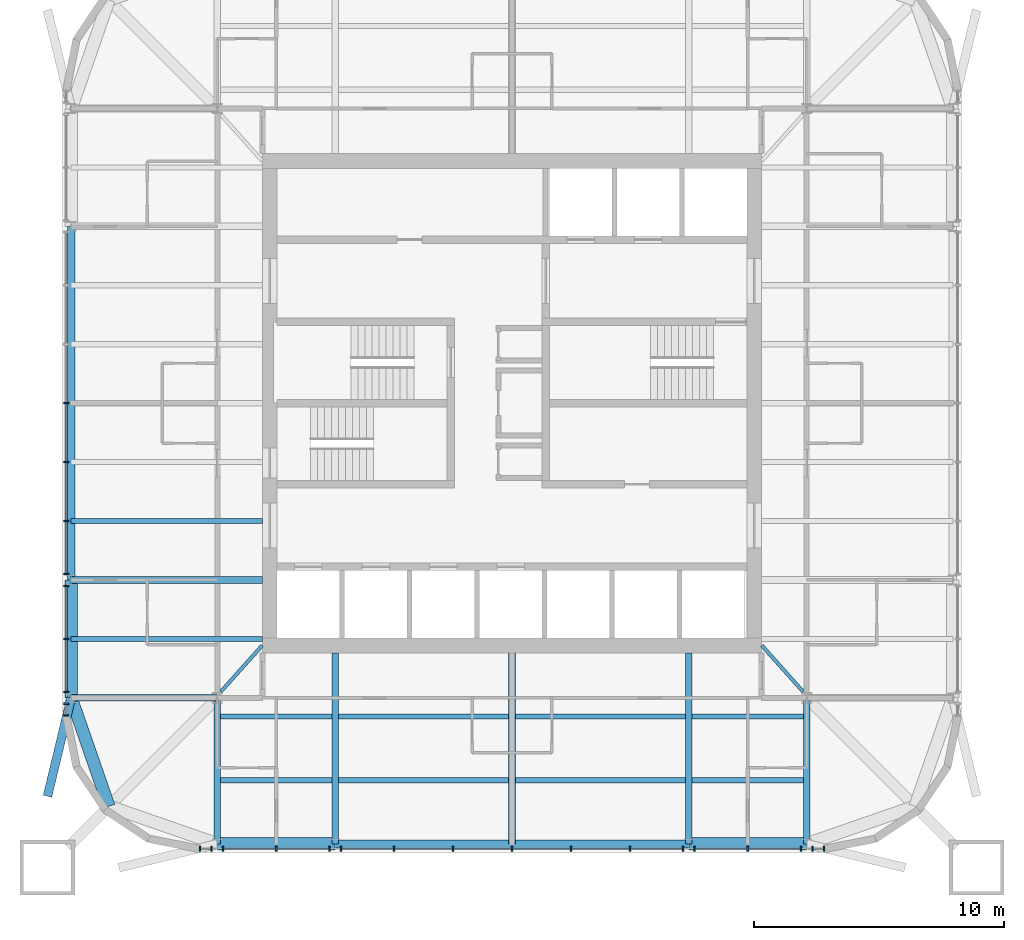
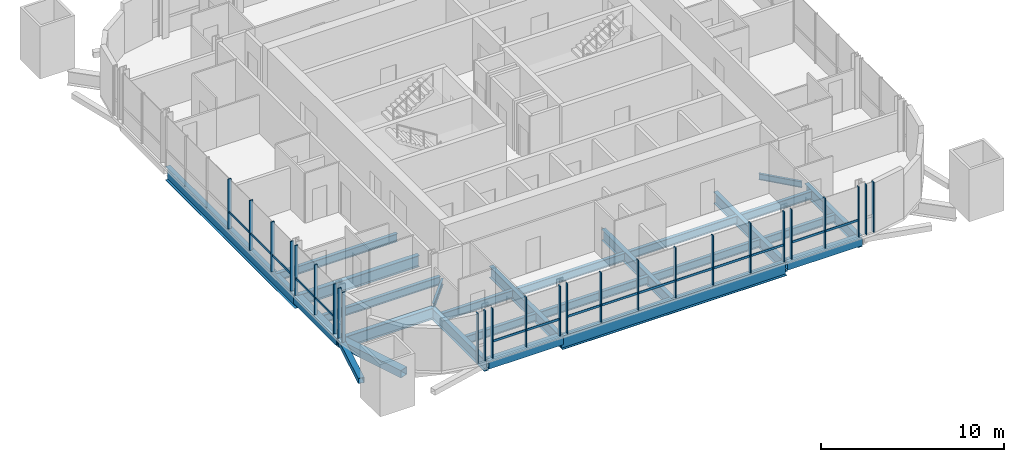
# One storey, part 2 of 16: 41 members, 26 beams, 8 elements without a shape of their own.
"""IFC4 building model written with IfcOpenShell, lengths in metres."""

import ifcopenshell
import ifcopenshell.guid

model = None  # the IFC model being written
_history = None  # IfcOwnerHistory: only IFC2X3 demands one
_inside = {}  # id of a spatial element -> (the spatial element, [elements in it])
_under = {}  # id of a project, library or spatial element -> (it, [spatial elements below it])
_declared = {}  # id of a project -> (the project, [libraries it declares])
_typed = {}  # id of a type object -> (the type object, [elements of that type])
_made_of = {}  # id of a material, layer set ... -> (it, [elements and type objects made of it])


def new_model(schema):
    """Start an empty IFC model of exactly this schema.

    Asked for "IFC4X3", IfcOpenShell would pick the latest addendum, in which some entities
    have other attributes; the version numbers below select the first issue.
    IFC2X3 requires an IfcOwnerHistory on every rooted entity: one is made here for all.
    """
    global model, _history
    if schema == "IFC4X3":
        model = ifcopenshell.file(schema_version=(4, 3, 0, 0))
    else:
        model = ifcopenshell.file(schema=schema)
    _inside.clear()
    _under.clear()
    _declared.clear()
    _typed.clear()
    _made_of.clear()
    _history = None
    if model.schema == "IFC2X3":
        org = make("IfcOrganization", Name="unknown")
        user = make(
            "IfcPersonAndOrganization",
            ThePerson=make("IfcPerson", FamilyName="unknown"),
            TheOrganization=org,
        )
        app = make(
            "IfcApplication",
            ApplicationDeveloper=org,
            Version="unknown",
            ApplicationFullName="unknown",
            ApplicationIdentifier="unknown",
        )
        _history = make(
            "IfcOwnerHistory",
            OwningUser=user,
            OwningApplication=app,
            ChangeAction="ADDED",
            CreationDate=0,
        )
    return model


def make(cls, **values):
    """One entity of the class cls with the attributes given. An attribute that is None is left unset."""
    return model.create_entity(
        cls, **{name: value for name, value in values.items() if value is not None}
    )


def rooted(cls, **values):
    """An entity with a GlobalId (a new one), such as an element, a storey or a relation."""
    return make(cls, GlobalId=ifcopenshell.guid.new(), OwnerHistory=_history, **values)


def si_unit(unit_type, name, prefix=None):
    """IfcSIUnit, for example si_unit("LENGTHUNIT", "METRE", prefix="MILLI")."""
    return make("IfcSIUnit", UnitType=unit_type, Prefix=prefix, Name=name)


def assignment(units):
    """IfcUnitAssignment: the units of a project."""
    return None if units is None else make("IfcUnitAssignment", Units=units)


def point(xyz):
    """IfcCartesianPoint."""
    return None if xyz is None else make("IfcCartesianPoint", Coordinates=xyz)


def direction(xyz):
    """IfcDirection."""
    return None if xyz is None else make("IfcDirection", DirectionRatios=xyz)


def frame(location, z_axis=None, x_axis=None):
    """IfcAxis2Placement3D, a coordinate frame: its origin and axes. An axis left out is left unset."""
    return make(
        "IfcAxis2Placement3D",
        Location=point(location),
        Axis=direction(z_axis),
        RefDirection=direction(x_axis),
    )


def frame_2d(location, x_axis=None):
    """IfcAxis2Placement2D, a coordinate frame in the plane: its origin and x axis."""
    return make(
        "IfcAxis2Placement2D", Location=point(location), RefDirection=direction(x_axis)
    )


def origin():
    """The frame at (0, 0, 0) with its axes left unset."""
    return frame((0.0, 0.0, 0.0))


def origin_2d():
    """The frame at (0, 0) in the plane with its x axis left unset."""
    return frame_2d((0.0, 0.0))


def place(relative_to, where):
    """IfcLocalPlacement: puts the frame where relative to a parent placement (None: the world)."""
    return make(
        "IfcLocalPlacement", PlacementRelTo=relative_to, RelativePlacement=where
    )


def context(
    kind, dimensions, precision=None, world=None, true_north=None, identifier=None
):
    """IfcGeometricRepresentationContext, for example the 3D "Model" context."""
    return make(
        "IfcGeometricRepresentationContext",
        ContextIdentifier=identifier,
        ContextType=kind,
        CoordinateSpaceDimension=dimensions,
        Precision=precision,
        WorldCoordinateSystem=world,
        TrueNorth=true_north,
    )


def subcontext(parent, identifier, kind, view, scale=None):
    """IfcGeometricRepresentationSubContext, for example "Body" below "Model"."""
    return make(
        "IfcGeometricRepresentationSubContext",
        ContextIdentifier=identifier,
        ContextType=kind,
        ParentContext=parent,
        TargetScale=scale,
        TargetView=view,
    )


def project(units=None, contexts=None):
    """IfcProject with its units and contexts."""
    return rooted(
        "IfcProject",
        Name="project",
        RepresentationContexts=contexts,
        UnitsInContext=assignment(units),
    )


def spatial(cls, under=None, at=None, **own):
    """A site, building, storey or space (cls), placed at a placement, below another one or the project."""
    s = rooted(cls, ObjectPlacement=at, **own)
    if under is not None:
        _under.setdefault(under.id(), (under, []))[1].append(s)
    return s


def profile(cls, at=None, kind="AREA", **sizes):
    """A parametric profile (cls). Its sizes go by their IFC names, for example OverallWidth=200.0."""
    return make(cls, ProfileType=kind, Position=at, **sizes)


def rectangle(**sizes):
    """IfcRectangleProfileDef."""
    return profile("IfcRectangleProfileDef", **sizes)


def hollow_rectangle(**sizes):
    """IfcRectangleHollowProfileDef."""
    return profile("IfcRectangleHollowProfileDef", **sizes)


def i_section(**sizes):
    """IfcIShapeProfileDef."""
    return profile("IfcIShapeProfileDef", **sizes)


def extrude(swept, where, along, depth):
    """IfcExtrudedAreaSolid: the profile swept, set in the frame where, extruded along a direction by depth."""
    return make(
        "IfcExtrudedAreaSolid",
        SweptArea=swept,
        Position=where,
        ExtrudedDirection=direction(along),
        Depth=depth,
    )


def shape(context_of_items, identifier, shape_type, items):
    """IfcShapeRepresentation: the items that make up one representation, for example the "Body"."""
    return make(
        "IfcShapeRepresentation",
        ContextOfItems=context_of_items,
        RepresentationIdentifier=identifier,
        RepresentationType=shape_type,
        Items=items,
    )


def material(Name=None, Category=None):
    """IfcMaterial."""
    return make("IfcMaterial", Name=Name, Category=Category)


def material_profile(
    of_material, cross_section, Name=None, Category=None, Priority=None
):
    """IfcMaterialProfile: a cross section and its material."""
    return make(
        "IfcMaterialProfile",
        Name=Name,
        Material=of_material,
        Profile=cross_section,
        Priority=Priority,
        Category=Category,
    )


def profile_set(profiles, Name=None, composite=None):
    """IfcMaterialProfileSet."""
    return make(
        "IfcMaterialProfileSet",
        Name=Name,
        MaterialProfiles=profiles,
        CompositeProfile=composite,
    )


def made_of(thing, what):
    """Note that an element or type object is made of a material, layer set ...; save() writes the relation."""
    if what is not None:
        _made_of.setdefault(what.id(), (what, []))[1].append(thing)
    return thing


def type_object(cls, material=None, **own):
    """A type object (cls), such as IfcWallType, which elements share."""
    return made_of(rooted(cls, **own), material)


def element(
    cls,
    number,
    at=None,
    inside=None,
    cuts=None,
    type_object=None,
    material=None,
    context=None,
    identifier="Body",
    shape_type=None,
    held_by="IfcProductDefinitionShape",
    body=None,
    shapes=None,
    **own,
):
    """One element of the class cls, such as IfcWall. Its Tag is "e" and its number.

    at: its placement. inside: the storey or other place that contains it. cuts: it is an
    opening in that element (IfcRelVoidsElement). A single representation is given by context,
    identifier, shape_type and body (its items); several are given by shapes. held_by: the class
    of the entity that holds the representations. save() writes the other relations.
    """
    e = rooted(cls, Tag="e%d" % number, ObjectPlacement=at, **own)
    if body is not None:
        shapes = [shape(context, identifier, shape_type, body)]
    if shapes is not None:
        e.Representation = make(held_by, Representations=shapes)
    if inside is not None:
        _inside.setdefault(inside.id(), (inside, []))[1].append(e)
    if cuts is not None:
        rooted(
            "IfcRelVoidsElement", RelatingBuildingElement=cuts, RelatedOpeningElement=e
        )
    if type_object is not None:
        _typed.setdefault(type_object.id(), (type_object, []))[1].append(e)
    return made_of(e, material)


def aggregate(whole, parts):
    """IfcRelAggregates: a whole, such as a stair, and the parts it consists of."""
    return rooted("IfcRelAggregates", RelatingObject=whole, RelatedObjects=parts)


def save(model, path):
    """Write the relations noted so far, then the file.

    IfcRelAggregates (storeys below a building ...), IfcRelContainedInSpatialStructure (elements
    in a storey), IfcRelDefinesByType, IfcRelAssociatesMaterial and IfcRelDeclares: one each for
    every whole, place, type object, material and project.
    """
    for whole, parts in _under.values():
        aggregate(whole, parts)
    for where, things in _inside.values():
        rooted(
            "IfcRelContainedInSpatialStructure",
            RelatedElements=things,
            RelatingStructure=where,
        )
    for kind, things in _typed.values():
        rooted("IfcRelDefinesByType", RelatedObjects=things, RelatingType=kind)
    for what, things in _made_of.values():
        rooted("IfcRelAssociatesMaterial", RelatedObjects=things, RelatingMaterial=what)
    for by, libraries in _declared.values():
        rooted("IfcRelDeclares", RelatingContext=by, RelatedDefinitions=libraries)
    model.write(path)


model = new_model("IFC4")

# Units and contexts
model_context = context("Model", 3, precision=1e-05, world=origin(), true_north=direction((0.0, 1.0)))
body_context = subcontext(model_context, "Body", "Model", "MODEL_VIEW")
ifc_project = project(units=[si_unit("LENGTHUNIT", "METRE"), si_unit("AREAUNIT", "SQUARE_METRE"), si_unit("VOLUMEUNIT", "CUBIC_METRE"), si_unit("PLANEANGLEUNIT", "RADIAN"), si_unit("MASSUNIT", "GRAM", prefix="KILO")], contexts=[model_context])

# Site, building, storey
site_placement = place(None, origin())
site = spatial("IfcSite", under=ifc_project, at=site_placement, CompositionType="ELEMENT")
building_placement = place(site_placement, origin())
building = spatial("IfcBuilding", under=site, at=building_placement, Name="Turquesa Mirador Hotel Tower", CompositionType="ELEMENT")
storey_placement = place(building_placement, frame((0.0, 0.0, 230.199951171875)))
storey = spatial("IfcBuildingStorey", under=building, at=storey_placement, Name="L62", CompositionType="ELEMENT", Elevation=230.199951171875)

# Beams
ifc_material_1 = material(Name="Steel ASTM A572 Grade 50", Category="steel")
ifc_material_profile_1 = material_profile(ifc_material_1, hollow_rectangle(XDim=0.5, YDim=0.5, WallThickness=0.01611328125, at=origin_2d()), Name="BOX500X500X16")
ifc_profile_set_1 = profile_set([ifc_material_profile_1], Name="Steel ASTM A572 Grade 50")
beam_type_1 = type_object("IfcBeamType", Name="BEAM BOX500X500X16", PredefinedType="BEAM", material=ifc_profile_set_1)
for number, where, z_axis, x_axis, name in (
    (1, (43.199951171875, 27.35009765625, -0.419921875), (1.0, 0.0, 0.0), (0.0, 1.0, 0.0), "EB-L62-S-L"),
    (2, (62.080078125, 27.35009765625, -0.419921875), (1.0, 0.0, 0.0), (0.0, 1.0, 0.0), "EB-L62-S-R"),
    (3, (37.35009765625, 33.199951171875, -0.419921875), (0.0, 1.0, 0.0), (-1.0, 0.0, 0.0), "EB-L62-W-L"),
):
    element("IfcBeam", number, at=place(storey_placement, frame(where, z_axis=z_axis, x_axis=x_axis)), inside=storey, type_object=beam_type_1, Name=name, PredefinedType="BEAM", context=body_context, shape_type="SweptSolid", body=[
        extrude(hollow_rectangle(XDim=0.5, YDim=0.5, WallThickness=0.01611328125, at=origin_2d()), origin(), (0.0, 0.0, 1.0), 4.719970703125),
    ])
beam_1_placement = place(storey_placement, frame((37.35009765625, 33.199951171875, -0.419921875), z_axis=(0.328170356092, -0.944618556552, 0.0), x_axis=(0.944618556552, 0.328170356092, 0.0)))
element("IfcBeam", 4, at=beam_1_placement, inside=storey, type_object=beam_type_1, Name="KE-L62-3-0", PredefinedType="BEAM", context=body_context, shape_type="SweptSolid", body=[
    extrude(hollow_rectangle(XDim=0.5, YDim=0.5, WallThickness=0.01611328125, at=origin_2d()), origin(), (0.0, 0.0, 1.0), 4.59619140625),
])
ifc_material_2 = material(Name="Steel ASTM A992 Grade 50", Category="steel")
ifc_material_profile_2 = material_profile(ifc_material_2, i_section(OverallWidth=0.140380859375, OverallDepth=0.40380859375, WebThickness=0.007080078125, FlangeThickness=0.01123046875, at=origin_2d()), Name="W16X31")
ifc_profile_set_2 = profile_set([ifc_material_profile_2], Name="Steel ASTM A992 Grade 50")
beam_type_2 = type_object("IfcBeamType", Name="BEAM W16X31", PredefinedType="BEAM", material=ifc_profile_set_2)
for number, where, z_axis, x_axis, name in (
    (5, (43.343505859375, 33.44873046875, -0.371826171875), (0.666806350186, 0.745231032198, 0.0), (-0.745231032198, 0.666806350186, 0.0), "KT-L62-3"),
    (6, (66.656494140625, 33.44873046875, -0.371826171875), (-0.666806350186, 0.745231032198, 0.0), (-0.745231032198, -0.666806350186, 0.0), "KT-L62-4"),
):
    element("IfcBeam", number, at=place(storey_placement, frame(where, z_axis=z_axis, x_axis=x_axis)), inside=storey, type_object=beam_type_2, Name=name, PredefinedType="BEAM", context=body_context, shape_type="SweptSolid", body=[
        extrude(i_section(OverallWidth=0.140380859375, OverallDepth=0.40380859375, WebThickness=0.007080078125, FlangeThickness=0.01123046875, at=origin_2d()), origin(), (0.0, 0.0, 1.0), 2.484130859375),
    ])
ifc_material_3 = material(Name="Steel ASTM A992 Grade 50", Category="steel")
ifc_material_profile_3 = material_profile(ifc_material_3, i_section(OverallWidth=0.209228515625, OverallDepth=0.533447265625, WebThickness=0.01025390625, FlangeThickness=0.015625, at=origin_2d()), Name="W21X62")
ifc_profile_set_3 = profile_set([ifc_material_profile_3], Name="Steel ASTM A992 Grade 50")
beam_type_3 = type_object("IfcBeamType", Name="BEAM W21X62", PredefinedType="BEAM", material=ifc_profile_set_3)
beam_2_placement = place(storey_placement, frame((43.333251953125, 32.449951171875, -0.436767578125), z_axis=(1.0, 0.0, 0.0), x_axis=(0.0, 1.0, 0.0)))
element("IfcBeam", 7, at=beam_2_placement, inside=storey, type_object=beam_type_3, Name="IB-L62-S-1-0", PredefinedType="BEAM", context=body_context, shape_type="SweptSolid", body=[
    extrude(i_section(OverallWidth=0.209228515625, OverallDepth=0.533447265625, WebThickness=0.01025390625, FlangeThickness=0.015625, at=origin_2d()), origin(), (0.0, 0.0, 1.0), 4.453369140625),
])
for number, where, z_axis, x_axis, name in (
    (8, (48.053466796875, 32.449951171875, -0.436767578125), (1.0, 0.0, 0.0), (0.0, 1.0, 0.0), "IB-L62-S-1-1"),
    (9, (55.13330078125, 32.449951171875, -0.436767578125), (1.0, 0.0, 0.0), (0.0, 1.0, 0.0), "IB-L62-S-1-2"),
):
    element("IfcBeam", number, at=place(storey_placement, frame(where, z_axis=z_axis, x_axis=x_axis)), inside=storey, type_object=beam_type_3, Name=name, PredefinedType="BEAM", context=body_context, shape_type="SweptSolid", body=[
        extrude(i_section(OverallWidth=0.209228515625, OverallDepth=0.533447265625, WebThickness=0.01025390625, FlangeThickness=0.015625, at=origin_2d()), origin(), (0.0, 0.0, 1.0), 6.813232421875),
    ])
for number, where, z_axis, x_axis, name in (
    (10, (62.21337890625, 32.449951171875, -0.436767578125), (1.0, 0.0, 0.0), (0.0, 1.0, 0.0), "IB-L62-S-1-3"),
    (11, (43.333251953125, 29.89990234375, -0.436767578125), (1.0, 0.0, 0.0), (0.0, 1.0, 0.0), "IB-L62-S-2-0"),
):
    element("IfcBeam", number, at=place(storey_placement, frame(where, z_axis=z_axis, x_axis=x_axis)), inside=storey, type_object=beam_type_3, Name=name, PredefinedType="BEAM", context=body_context, shape_type="SweptSolid", body=[
        extrude(i_section(OverallWidth=0.209228515625, OverallDepth=0.533447265625, WebThickness=0.01025390625, FlangeThickness=0.015625, at=origin_2d()), origin(), (0.0, 0.0, 1.0), 4.453369140625),
    ])
for number, where, z_axis, x_axis, name in (
    (12, (48.053466796875, 29.89990234375, -0.436767578125), (1.0, 0.0, 0.0), (0.0, 1.0, 0.0), "IB-L62-S-2-1"),
    (13, (55.13330078125, 29.89990234375, -0.436767578125), (1.0, 0.0, 0.0), (0.0, 1.0, 0.0), "IB-L62-S-2-2"),
):
    element("IfcBeam", number, at=place(storey_placement, frame(where, z_axis=z_axis, x_axis=x_axis)), inside=storey, type_object=beam_type_3, Name=name, PredefinedType="BEAM", context=body_context, shape_type="SweptSolid", body=[
        extrude(i_section(OverallWidth=0.209228515625, OverallDepth=0.533447265625, WebThickness=0.01025390625, FlangeThickness=0.015625, at=origin_2d()), origin(), (0.0, 0.0, 1.0), 6.813232421875),
    ])
beam_3_placement = place(storey_placement, frame((62.21337890625, 29.89990234375, -0.436767578125), z_axis=(1.0, 0.0, 0.0), x_axis=(0.0, 1.0, 0.0)))
element("IfcBeam", 14, at=beam_3_placement, inside=storey, type_object=beam_type_3, Name="IB-L62-S-2-3", PredefinedType="BEAM", context=body_context, shape_type="SweptSolid", body=[
    extrude(i_section(OverallWidth=0.209228515625, OverallDepth=0.533447265625, WebThickness=0.01025390625, FlangeThickness=0.015625, at=origin_2d()), origin(), (0.0, 0.0, 1.0), 4.453369140625),
])
for number, where, z_axis, x_axis, name in (
    (15, (37.35009765625, 35.56005859375, -0.436767578125), (1.0, 0.0, 0.0), (0.0, 1.0, 0.0), "BM-L62-W--9.44"),
    (16, (37.35009765625, 40.280029296875, -0.436767578125), (1.0, 0.0, 0.0), (0.0, 1.0, 0.0), "BM-L62-W--4.72"),
):
    element("IfcBeam", number, at=place(storey_placement, frame(where, z_axis=z_axis, x_axis=x_axis)), inside=storey, type_object=beam_type_3, Name=name, PredefinedType="BEAM", context=body_context, shape_type="SweptSolid", body=[
        extrude(i_section(OverallWidth=0.209228515625, OverallDepth=0.533447265625, WebThickness=0.01025390625, FlangeThickness=0.015625, at=origin_2d()), origin(), (0.0, 0.0, 1.0), 7.64990234375),
    ])
ifc_material_4 = material(Name="Steel ASTM A992 Grade 50", Category="steel")
ifc_material_profile_4 = material_profile(ifc_material_4, i_section(OverallWidth=0.2666015625, OverallDepth=0.7568359375, WebThickness=0.013916015625, FlangeThickness=0.019287109375, at=origin_2d()), Name="W30X108")
ifc_profile_set_4 = profile_set([ifc_material_profile_4], Name="Steel ASTM A992 Grade 50")
beam_type_4 = type_object("IfcBeamType", Name="BEAM W30X108", PredefinedType="BEAM", material=ifc_profile_set_4)
for number, where, z_axis, x_axis, name in (
    (17, (47.919921875, 27.35009765625, -0.54833984375), (0.0, 1.0, 0.0), (-1.0, 0.0, 0.0), "GD-L62-S--7.08"),
    (18, (62.080078125, 27.35009765625, -0.54833984375), (0.0, 1.0, 0.0), (-1.0, 0.0, 0.0), "GD-L62-S-+7.08"),
    (19, (55.0, 27.35009765625, -0.54833984375), (0.0, 1.0, 0.0), (-1.0, 0.0, 0.0), "GD-L62-S-+0.00"),
):
    element("IfcBeam", number, at=place(storey_placement, frame(where, z_axis=z_axis, x_axis=x_axis)), inside=storey, type_object=beam_type_4, Name=name, PredefinedType="BEAM", context=body_context, shape_type="SweptSolid", body=[
        extrude(i_section(OverallWidth=0.2666015625, OverallDepth=0.7568359375, WebThickness=0.013916015625, FlangeThickness=0.019287109375, at=origin_2d()), origin(), (0.0, 0.0, 1.0), 7.64990234375),
    ])
for number, where, z_axis, x_axis, name in (
    (20, (43.199951171875, 27.35009765625, -0.54833984375), (0.0, 1.0, 0.0), (-1.0, 0.0, 0.0), "GK-L62-S--11.80"),
    (21, (66.800048828125, 27.35009765625, -0.54833984375), (0.0, 1.0, 0.0), (-1.0, 0.0, 0.0), "GK-L62-S-+11.80"),
):
    element("IfcBeam", number, at=place(storey_placement, frame(where, z_axis=z_axis, x_axis=x_axis)), inside=storey, type_object=beam_type_4, Name=name, PredefinedType="BEAM", context=body_context, shape_type="SweptSolid", body=[
        extrude(i_section(OverallWidth=0.2666015625, OverallDepth=0.7568359375, WebThickness=0.013916015625, FlangeThickness=0.019287109375, at=origin_2d()), origin(), (0.0, 0.0, 1.0), 5.849853515625),
    ])
beam_4_placement = place(storey_placement, frame((37.35009765625, 37.919921875, -0.54833984375), z_axis=(1.0, 0.0, 0.0), x_axis=(0.0, 1.0, 0.0)))
element("IfcBeam", 22, at=beam_4_placement, inside=storey, type_object=beam_type_4, Name="GD-L62-W--7.08", PredefinedType="BEAM", context=body_context, shape_type="SweptSolid", body=[
    extrude(i_section(OverallWidth=0.2666015625, OverallDepth=0.7568359375, WebThickness=0.013916015625, FlangeThickness=0.019287109375, at=origin_2d()), origin(), (0.0, 0.0, 1.0), 7.64990234375),
])
beam_5_placement = place(storey_placement, frame((37.35009765625, 33.199951171875, -0.54833984375), z_axis=(1.0, 0.0, 0.0), x_axis=(0.0, 1.0, 0.0)))
element("IfcBeam", 23, at=beam_5_placement, inside=storey, type_object=beam_type_4, Name="GK-L62-W--11.80", PredefinedType="BEAM", context=body_context, shape_type="SweptSolid", body=[
    extrude(i_section(OverallWidth=0.2666015625, OverallDepth=0.7568359375, WebThickness=0.013916015625, FlangeThickness=0.019287109375, at=origin_2d()), origin(), (0.0, 0.0, 1.0), 5.849853515625),
])
ifc_material_5 = material(Name="Steel ASTM A992 Grade 50", Category="steel")
ifc_material_profile_5 = material_profile(ifc_material_5, i_section(OverallWidth=0.3046875, OverallDepth=0.911865234375, WebThickness=0.015869140625, FlangeThickness=0.02392578125, at=origin_2d()), Name="W36X150")
ifc_profile_set_5 = profile_set([ifc_material_profile_5], Name="Steel ASTM A992 Grade 50")
beam_type_5 = type_object("IfcBeamType", Name="BEAM W36X150", PredefinedType="BEAM", material=ifc_profile_set_5)
for number, where, z_axis, x_axis, name in (
    (24, (47.919921875, 27.35009765625, -0.6259765625), (1.0, 0.0, 0.0), (0.0, 1.0, 0.0), "EB-L62-S-C"),
    (25, (37.35009765625, 37.919921875, -0.6259765625), (0.0, 1.0, 0.0), (-1.0, 0.0, 0.0), "EB-L62-W-C"),
):
    element("IfcBeam", number, at=place(storey_placement, frame(where, z_axis=z_axis, x_axis=x_axis)), inside=storey, type_object=beam_type_5, Name=name, PredefinedType="BEAM", context=body_context, shape_type="SweptSolid", body=[
        extrude(i_section(OverallWidth=0.3046875, OverallDepth=0.911865234375, WebThickness=0.015869140625, FlangeThickness=0.02392578125, at=origin_2d()), origin(), (0.0, 0.0, 1.0), 14.16015625),
    ])
ifc_material_6 = material(Name="Steel ASTM A500 Grade C", Category="steel")
ifc_material_profile_6 = material_profile(ifc_material_6, hollow_rectangle(XDim=0.355712890625, YDim=0.355712890625, WallThickness=0.0146484375, at=origin_2d()), Name="HSS14X14X5/8")
ifc_profile_set_6 = profile_set([ifc_material_profile_6], Name="Steel ASTM A500 Grade C")
beam_type_6 = type_object("IfcBeamType", Name="BRACE STRUT HSS14X14X5/8", PredefinedType="BEAM", material=ifc_profile_set_6)
beam_6_placement = place(storey_placement, frame((36.39990234375, 29.261474609375, -0.34765625), z_axis=(0.234530574661, 0.972108743685, 0.0), x_axis=(-0.972108743685, 0.234530574661, 0.0)))
element("IfcBeam", 26, at=beam_6_placement, inside=storey, type_object=beam_type_6, Name="Brace strut", PredefinedType="BEAM", context=body_context, shape_type="SweptSolid", body=[
    extrude(hollow_rectangle(XDim=0.355712890625, YDim=0.355712890625, WallThickness=0.0146484375, at=origin_2d()), origin(), (0.0, 0.0, 1.0), 4.051513671875),
])

# Curtain wall, members
ifc_material_7 = material(Name="Aluminium extrusion", Category="aluminium")
curtain_wall_type = type_object("IfcCurtainWallType", Name="CW-4 SUITE FRITTED CURTAIN WALL", PredefinedType="USERDEFINED", material=ifc_material_7)
curtain_wall_1_placement = place(storey_placement, origin())
curtain_wall_1 = element("IfcCurtainWall", 27, at=curtain_wall_1_placement, inside=storey, type_object=curtain_wall_type, Name="CW-4 SUITE FRITTED CURTAIN WALL L62", ObjectType="CURTAIN WALL", PredefinedType="USERDEFINED")
ifc_material_8 = material(Name="Aluminium extrusion", Category="aluminium")
ifc_material_profile_7 = material_profile(ifc_material_8, rectangle(XDim=0.06494140625, YDim=0.199951171875, at=origin_2d()), Name="MULLION 65X200")
ifc_profile_set_7 = profile_set([ifc_material_profile_7], Name="Aluminium extrusion")
member_type_1 = type_object("IfcMemberType", Name="CW MULLION 65X200", PredefinedType="MULLION", material=ifc_profile_set_7)
member_1_placement = place(storey_placement, frame((37.14990234375, 45.0, 0.0), z_axis=(0.0, 0.0, 1.0), x_axis=(0.0, -1.0, 0.0)))
member_1 = element("IfcMember", 28, at=member_1_placement, type_object=member_type_1, Name="Mullion", PredefinedType="MULLION", context=body_context, shape_type="SweptSolid", body=[
    extrude(rectangle(XDim=0.06494140625, YDim=0.199951171875, at=origin_2d()), origin(), (0.0, 0.0, 1.0), 3.330078125),
])
member_2_placement = place(storey_placement, frame((37.14990234375, 42.639892578125, 0.0), z_axis=(0.0, 0.0, 1.0), x_axis=(0.0, -1.0, 0.0)))
member_2 = element("IfcMember", 29, at=member_2_placement, type_object=member_type_1, Name="Mullion", PredefinedType="MULLION", context=body_context, shape_type="SweptSolid", body=[
    extrude(rectangle(XDim=0.06494140625, YDim=0.199951171875, at=origin_2d()), origin(), (0.0, 0.0, 1.0), 3.330078125),
])
member_3_placement = place(storey_placement, frame((37.14990234375, 40.280029296875, 0.0), z_axis=(0.0, 0.0, 1.0), x_axis=(0.0, -1.0, 0.0)))
member_3 = element("IfcMember", 30, at=member_3_placement, type_object=member_type_1, Name="Mullion", PredefinedType="MULLION", context=body_context, shape_type="SweptSolid", body=[
    extrude(rectangle(XDim=0.06494140625, YDim=0.199951171875, at=origin_2d()), origin(), (0.0, 0.0, 1.0), 3.330078125),
])
member_4_placement = place(storey_placement, frame((37.14990234375, 38.15380859375, 0.0), z_axis=(0.0, 0.0, 1.0), x_axis=(0.0, -1.0, 0.0)))
member_4 = element("IfcMember", 31, at=member_4_placement, type_object=member_type_1, Name="Mullion", PredefinedType="MULLION", context=body_context, shape_type="SweptSolid", body=[
    extrude(rectangle(XDim=0.06494140625, YDim=0.199951171875, at=origin_2d()), origin(), (0.0, 0.0, 1.0), 3.330078125),
])

curtain_wall_2_placement = place(storey_placement, origin())
curtain_wall_2 = element("IfcCurtainWall", 32, at=curtain_wall_2_placement, inside=storey, type_object=curtain_wall_type, Name="CW-4 SUITE FRITTED CURTAIN WALL L62", ObjectType="CURTAIN WALL", PredefinedType="USERDEFINED")
member_5_placement = place(storey_placement, frame((37.14990234375, 37.68603515625, 0.0), z_axis=(0.0, 0.0, 1.0), x_axis=(0.0, -1.0, 0.0)))
member_5 = element("IfcMember", 33, at=member_5_placement, type_object=member_type_1, Name="Mullion", PredefinedType="MULLION", context=body_context, shape_type="SweptSolid", body=[
    extrude(rectangle(XDim=0.06494140625, YDim=0.199951171875, at=origin_2d()), origin(), (0.0, 0.0, 1.0), 3.330078125),
])
member_6_placement = place(storey_placement, frame((37.14990234375, 35.56005859375, 0.0), z_axis=(0.0, 0.0, 1.0), x_axis=(0.0, -1.0, 0.0)))
member_6 = element("IfcMember", 34, at=member_6_placement, type_object=member_type_1, Name="Mullion", PredefinedType="MULLION", context=body_context, shape_type="SweptSolid", body=[
    extrude(rectangle(XDim=0.06494140625, YDim=0.199951171875, at=origin_2d()), origin(), (0.0, 0.0, 1.0), 3.330078125),
])
member_7_placement = place(storey_placement, frame((37.14990234375, 33.433837890625, 0.0), z_axis=(0.0, 0.0, 1.0), x_axis=(0.0, -1.0, 0.0)))
member_7 = element("IfcMember", 35, at=member_7_placement, type_object=member_type_1, Name="Mullion", PredefinedType="MULLION", context=body_context, shape_type="SweptSolid", body=[
    extrude(rectangle(XDim=0.06494140625, YDim=0.199951171875, at=origin_2d()), origin(), (0.0, 0.0, 1.0), 3.330078125),
])

curtain_wall_3_placement = place(storey_placement, origin())
curtain_wall_3 = element("IfcCurtainWall", 36, at=curtain_wall_3_placement, inside=storey, type_object=curtain_wall_type, Name="CW-4 SUITE FRITTED CURTAIN WALL L62", ObjectType="CURTAIN WALL", PredefinedType="USERDEFINED")
member_8_placement = place(storey_placement, frame((37.14990234375, 32.966064453125, 0.0), z_axis=(0.0, 0.0, 1.0), x_axis=(0.0, -1.0, 0.0)))
member_8 = element("IfcMember", 37, at=member_8_placement, type_object=member_type_1, Name="Mullion", PredefinedType="MULLION", context=body_context, shape_type="SweptSolid", body=[
    extrude(rectangle(XDim=0.06494140625, YDim=0.199951171875, at=origin_2d()), origin(), (0.0, 0.0, 1.0), 3.330078125),
])
member_9_placement = place(storey_placement, frame((37.14990234375, 32.5, 0.0), z_axis=(0.0, 0.0, 1.0), x_axis=(0.0, -1.0, 0.0)))
member_9 = element("IfcMember", 38, at=member_9_placement, type_object=member_type_1, Name="Mullion", PredefinedType="MULLION", context=body_context, shape_type="SweptSolid", body=[
    extrude(rectangle(XDim=0.06494140625, YDim=0.199951171875, at=origin_2d()), origin(), (0.0, 0.0, 1.0), 3.330078125),
])
aggregate(curtain_wall_3, [member_8, member_9])

curtain_wall_4_placement = place(storey_placement, origin())
curtain_wall_4 = element("IfcCurtainWall", 39, at=curtain_wall_4_placement, inside=storey, type_object=curtain_wall_type, Name="CW-4 SUITE FRITTED CURTAIN WALL L62", ObjectType="CURTAIN WALL", PredefinedType="USERDEFINED")
member_10_placement = place(storey_placement, frame((42.5, 27.14990234375, 0.0), z_axis=(0.0, 0.0, 1.0), x_axis=(1.0, 0.0, 0.0)))
member_10 = element("IfcMember", 40, at=member_10_placement, type_object=member_type_1, Name="Mullion", PredefinedType="MULLION", context=body_context, shape_type="SweptSolid", body=[
    extrude(rectangle(XDim=0.06494140625, YDim=0.199951171875, at=origin_2d()), origin(), (0.0, 0.0, 1.0), 3.330078125),
])
member_11_placement = place(storey_placement, frame((42.966064453125, 27.14990234375, 0.0), z_axis=(0.0, 0.0, 1.0), x_axis=(1.0, 0.0, 0.0)))
member_11 = element("IfcMember", 41, at=member_11_placement, type_object=member_type_1, Name="Mullion", PredefinedType="MULLION", context=body_context, shape_type="SweptSolid", body=[
    extrude(rectangle(XDim=0.06494140625, YDim=0.199951171875, at=origin_2d()), origin(), (0.0, 0.0, 1.0), 3.330078125),
])
aggregate(curtain_wall_4, [member_10, member_11])

curtain_wall_5_placement = place(storey_placement, origin())
curtain_wall_5 = element("IfcCurtainWall", 42, at=curtain_wall_5_placement, inside=storey, type_object=curtain_wall_type, Name="CW-4 SUITE FRITTED CURTAIN WALL L62", ObjectType="CURTAIN WALL", PredefinedType="USERDEFINED")
member_12_placement = place(storey_placement, frame((43.433837890625, 27.14990234375, 0.0), z_axis=(0.0, 0.0, 1.0), x_axis=(1.0, 0.0, 0.0)))
member_12 = element("IfcMember", 43, at=member_12_placement, type_object=member_type_1, Name="Mullion", PredefinedType="MULLION", context=body_context, shape_type="SweptSolid", body=[
    extrude(rectangle(XDim=0.06494140625, YDim=0.199951171875, at=origin_2d()), origin(), (0.0, 0.0, 1.0), 3.330078125),
])
member_13_placement = place(storey_placement, frame((45.56005859375, 27.14990234375, 0.0), z_axis=(0.0, 0.0, 1.0), x_axis=(1.0, 0.0, 0.0)))
member_13 = element("IfcMember", 44, at=member_13_placement, type_object=member_type_1, Name="Mullion", PredefinedType="MULLION", context=body_context, shape_type="SweptSolid", body=[
    extrude(rectangle(XDim=0.06494140625, YDim=0.199951171875, at=origin_2d()), origin(), (0.0, 0.0, 1.0), 3.330078125),
])
member_14_placement = place(storey_placement, frame((47.68603515625, 27.14990234375, 0.0), z_axis=(0.0, 0.0, 1.0), x_axis=(1.0, 0.0, 0.0)))
member_14 = element("IfcMember", 45, at=member_14_placement, type_object=member_type_1, Name="Mullion", PredefinedType="MULLION", context=body_context, shape_type="SweptSolid", body=[
    extrude(rectangle(XDim=0.06494140625, YDim=0.199951171875, at=origin_2d()), origin(), (0.0, 0.0, 1.0), 3.330078125),
])

curtain_wall_6_placement = place(storey_placement, origin())
curtain_wall_6 = element("IfcCurtainWall", 46, at=curtain_wall_6_placement, inside=storey, type_object=curtain_wall_type, Name="CW-4 SUITE FRITTED CURTAIN WALL L62", ObjectType="CURTAIN WALL", PredefinedType="USERDEFINED")
member_15_placement = place(storey_placement, frame((48.15380859375, 27.14990234375, 0.0), z_axis=(0.0, 0.0, 1.0), x_axis=(1.0, 0.0, 0.0)))
member_15 = element("IfcMember", 47, at=member_15_placement, type_object=member_type_1, Name="Mullion", PredefinedType="MULLION", context=body_context, shape_type="SweptSolid", body=[
    extrude(rectangle(XDim=0.06494140625, YDim=0.199951171875, at=origin_2d()), origin(), (0.0, 0.0, 1.0), 3.330078125),
])
member_16_placement = place(storey_placement, frame((50.280029296875, 27.14990234375, 0.0), z_axis=(0.0, 0.0, 1.0), x_axis=(1.0, 0.0, 0.0)))
member_16 = element("IfcMember", 48, at=member_16_placement, type_object=member_type_1, Name="Mullion", PredefinedType="MULLION", context=body_context, shape_type="SweptSolid", body=[
    extrude(rectangle(XDim=0.06494140625, YDim=0.199951171875, at=origin_2d()), origin(), (0.0, 0.0, 1.0), 3.330078125),
])
member_17_placement = place(storey_placement, frame((52.639892578125, 27.14990234375, 0.0), z_axis=(0.0, 0.0, 1.0), x_axis=(1.0, 0.0, 0.0)))
member_17 = element("IfcMember", 49, at=member_17_placement, type_object=member_type_1, Name="Mullion", PredefinedType="MULLION", context=body_context, shape_type="SweptSolid", body=[
    extrude(rectangle(XDim=0.06494140625, YDim=0.199951171875, at=origin_2d()), origin(), (0.0, 0.0, 1.0), 3.330078125),
])
member_18_placement = place(storey_placement, frame((55.0, 27.14990234375, 0.0), z_axis=(0.0, 0.0, 1.0), x_axis=(1.0, 0.0, 0.0)))
member_18 = element("IfcMember", 50, at=member_18_placement, type_object=member_type_1, Name="Mullion", PredefinedType="MULLION", context=body_context, shape_type="SweptSolid", body=[
    extrude(rectangle(XDim=0.06494140625, YDim=0.199951171875, at=origin_2d()), origin(), (0.0, 0.0, 1.0), 3.330078125),
])
member_19_placement = place(storey_placement, frame((57.360107421875, 27.14990234375, 0.0), z_axis=(0.0, 0.0, 1.0), x_axis=(1.0, 0.0, 0.0)))
member_19 = element("IfcMember", 51, at=member_19_placement, type_object=member_type_1, Name="Mullion", PredefinedType="MULLION", context=body_context, shape_type="SweptSolid", body=[
    extrude(rectangle(XDim=0.06494140625, YDim=0.199951171875, at=origin_2d()), origin(), (0.0, 0.0, 1.0), 3.330078125),
])
member_20_placement = place(storey_placement, frame((59.719970703125, 27.14990234375, 0.0), z_axis=(0.0, 0.0, 1.0), x_axis=(1.0, 0.0, 0.0)))
member_20 = element("IfcMember", 52, at=member_20_placement, type_object=member_type_1, Name="Mullion", PredefinedType="MULLION", context=body_context, shape_type="SweptSolid", body=[
    extrude(rectangle(XDim=0.06494140625, YDim=0.199951171875, at=origin_2d()), origin(), (0.0, 0.0, 1.0), 3.330078125),
])
member_21_placement = place(storey_placement, frame((61.84619140625, 27.14990234375, 0.0), z_axis=(0.0, 0.0, 1.0), x_axis=(1.0, 0.0, 0.0)))
member_21 = element("IfcMember", 53, at=member_21_placement, type_object=member_type_1, Name="Mullion", PredefinedType="MULLION", context=body_context, shape_type="SweptSolid", body=[
    extrude(rectangle(XDim=0.06494140625, YDim=0.199951171875, at=origin_2d()), origin(), (0.0, 0.0, 1.0), 3.330078125),
])

curtain_wall_7_placement = place(storey_placement, origin())
curtain_wall_7 = element("IfcCurtainWall", 54, at=curtain_wall_7_placement, inside=storey, type_object=curtain_wall_type, Name="CW-4 SUITE FRITTED CURTAIN WALL L62", ObjectType="CURTAIN WALL", PredefinedType="USERDEFINED")
member_22_placement = place(storey_placement, frame((62.31396484375, 27.14990234375, 0.0), z_axis=(0.0, 0.0, 1.0), x_axis=(1.0, 0.0, 0.0)))
member_22 = element("IfcMember", 55, at=member_22_placement, type_object=member_type_1, Name="Mullion", PredefinedType="MULLION", context=body_context, shape_type="SweptSolid", body=[
    extrude(rectangle(XDim=0.06494140625, YDim=0.199951171875, at=origin_2d()), origin(), (0.0, 0.0, 1.0), 3.330078125),
])
member_23_placement = place(storey_placement, frame((64.43994140625, 27.14990234375, 0.0), z_axis=(0.0, 0.0, 1.0), x_axis=(1.0, 0.0, 0.0)))
member_23 = element("IfcMember", 56, at=member_23_placement, type_object=member_type_1, Name="Mullion", PredefinedType="MULLION", context=body_context, shape_type="SweptSolid", body=[
    extrude(rectangle(XDim=0.06494140625, YDim=0.199951171875, at=origin_2d()), origin(), (0.0, 0.0, 1.0), 3.330078125),
])
member_24_placement = place(storey_placement, frame((66.566162109375, 27.14990234375, 0.0), z_axis=(0.0, 0.0, 1.0), x_axis=(1.0, 0.0, 0.0)))
member_24 = element("IfcMember", 57, at=member_24_placement, type_object=member_type_1, Name="Mullion", PredefinedType="MULLION", context=body_context, shape_type="SweptSolid", body=[
    extrude(rectangle(XDim=0.06494140625, YDim=0.199951171875, at=origin_2d()), origin(), (0.0, 0.0, 1.0), 3.330078125),
])

curtain_wall_8_placement = place(storey_placement, origin())
curtain_wall_8 = element("IfcCurtainWall", 58, at=curtain_wall_8_placement, inside=storey, type_object=curtain_wall_type, Name="CW-4 SUITE FRITTED CURTAIN WALL L62", ObjectType="CURTAIN WALL", PredefinedType="USERDEFINED")
member_25_placement = place(storey_placement, frame((67.033935546875, 27.14990234375, 0.0), z_axis=(0.0, 0.0, 1.0), x_axis=(1.0, 0.0, 0.0)))
member_25 = element("IfcMember", 59, at=member_25_placement, type_object=member_type_1, Name="Mullion", PredefinedType="MULLION", context=body_context, shape_type="SweptSolid", body=[
    extrude(rectangle(XDim=0.06494140625, YDim=0.199951171875, at=origin_2d()), origin(), (0.0, 0.0, 1.0), 3.330078125),
])
member_26_placement = place(storey_placement, frame((67.5, 27.14990234375, 0.0), z_axis=(0.0, 0.0, 1.0), x_axis=(1.0, 0.0, 0.0)))
member_26 = element("IfcMember", 60, at=member_26_placement, type_object=member_type_1, Name="Mullion", PredefinedType="MULLION", context=body_context, shape_type="SweptSolid", body=[
    extrude(rectangle(XDim=0.06494140625, YDim=0.199951171875, at=origin_2d()), origin(), (0.0, 0.0, 1.0), 3.330078125),
])
aggregate(curtain_wall_8, [member_25, member_26])

# Member
ifc_material_9 = material(Name="Aluminium extrusion", Category="aluminium")
ifc_material_profile_8 = material_profile(ifc_material_9, rectangle(XDim=0.06494140625, YDim=0.14990234375, at=origin_2d()), Name="TRANSOM 65X150")
ifc_profile_set_8 = profile_set([ifc_material_profile_8], Name="Aluminium extrusion")
member_type_2 = type_object("IfcMemberType", Name="CW TRANSOM 65X150", PredefinedType="USERDEFINED", material=ifc_profile_set_8)
member_27_placement = place(storey_placement, frame((37.14990234375, 44.967529296875, 1.10009765625), z_axis=(0.0, -1.0, 0.0), x_axis=(1.0, 0.0, 0.0)))
member_27 = element("IfcMember", 61, at=member_27_placement, type_object=member_type_2, Name="Transom", ObjectType="TRANSOM", PredefinedType="USERDEFINED", context=body_context, shape_type="SweptSolid", body=[
    extrude(rectangle(XDim=0.06494140625, YDim=0.14990234375, at=origin_2d()), origin(), (0.0, 0.0, 1.0), 2.294921875),
])

member_28_placement = place(storey_placement, frame((37.14990234375, 42.607421875, 1.10009765625), z_axis=(0.0, -1.0, 0.0), x_axis=(1.0, 0.0, 0.0)))
member_28 = element("IfcMember", 62, at=member_28_placement, type_object=member_type_2, Name="Transom", ObjectType="TRANSOM", PredefinedType="USERDEFINED", context=body_context, shape_type="SweptSolid", body=[
    extrude(rectangle(XDim=0.06494140625, YDim=0.14990234375, at=origin_2d()), origin(), (0.0, 0.0, 1.0), 2.294921875),
])

member_29_placement = place(storey_placement, frame((37.14990234375, 40.24755859375, 1.10009765625), z_axis=(0.0, -1.0, 0.0), x_axis=(1.0, 0.0, 0.0)))
member_29 = element("IfcMember", 63, at=member_29_placement, type_object=member_type_2, Name="Transom", ObjectType="TRANSOM", PredefinedType="USERDEFINED", context=body_context, shape_type="SweptSolid", body=[
    extrude(rectangle(XDim=0.06494140625, YDim=0.14990234375, at=origin_2d()), origin(), (0.0, 0.0, 1.0), 2.061279296875),
])

aggregate(curtain_wall_1, [member_1, member_2, member_3, member_4, member_27, member_28, member_29])

member_30_placement = place(storey_placement, frame((37.14990234375, 37.653564453125, 1.10009765625), z_axis=(0.0, -1.0, 0.0), x_axis=(1.0, 0.0, 0.0)))
member_30 = element("IfcMember", 64, at=member_30_placement, type_object=member_type_2, Name="Transom", ObjectType="TRANSOM", PredefinedType="USERDEFINED", context=body_context, shape_type="SweptSolid", body=[
    extrude(rectangle(XDim=0.06494140625, YDim=0.14990234375, at=origin_2d()), origin(), (0.0, 0.0, 1.0), 2.06103515625),
])

member_31_placement = place(storey_placement, frame((37.14990234375, 35.527587890625, 1.10009765625), z_axis=(0.0, -1.0, 0.0), x_axis=(1.0, 0.0, 0.0)))
member_31 = element("IfcMember", 65, at=member_31_placement, type_object=member_type_2, Name="Transom", ObjectType="TRANSOM", PredefinedType="USERDEFINED", context=body_context, shape_type="SweptSolid", body=[
    extrude(rectangle(XDim=0.06494140625, YDim=0.14990234375, at=origin_2d()), origin(), (0.0, 0.0, 1.0), 2.061279296875),
])

aggregate(curtain_wall_2, [member_5, member_6, member_7, member_30, member_31])

member_32_placement = place(storey_placement, frame((43.46630859375, 27.14990234375, 1.10009765625), z_axis=(1.0, 0.0, 0.0), x_axis=(0.0, 1.0, 0.0)))
member_32 = element("IfcMember", 66, at=member_32_placement, type_object=member_type_2, Name="Transom", ObjectType="TRANSOM", PredefinedType="USERDEFINED", context=body_context, shape_type="SweptSolid", body=[
    extrude(rectangle(XDim=0.06494140625, YDim=0.14990234375, at=origin_2d()), origin(), (0.0, 0.0, 1.0), 2.061279296875),
])

member_33_placement = place(storey_placement, frame((45.592529296875, 27.14990234375, 1.10009765625), z_axis=(1.0, 0.0, 0.0), x_axis=(0.0, 1.0, 0.0)))
member_33 = element("IfcMember", 67, at=member_33_placement, type_object=member_type_2, Name="Transom", ObjectType="TRANSOM", PredefinedType="USERDEFINED", context=body_context, shape_type="SweptSolid", body=[
    extrude(rectangle(XDim=0.06494140625, YDim=0.14990234375, at=origin_2d()), origin(), (0.0, 0.0, 1.0), 2.06103515625),
])

aggregate(curtain_wall_5, [member_12, member_13, member_14, member_32, member_33])

member_34_placement = place(storey_placement, frame((48.186279296875, 27.14990234375, 1.10009765625), z_axis=(1.0, 0.0, 0.0), x_axis=(0.0, 1.0, 0.0)))
member_34 = element("IfcMember", 68, at=member_34_placement, type_object=member_type_2, Name="Transom", ObjectType="TRANSOM", PredefinedType="USERDEFINED", context=body_context, shape_type="SweptSolid", body=[
    extrude(rectangle(XDim=0.06494140625, YDim=0.14990234375, at=origin_2d()), origin(), (0.0, 0.0, 1.0), 2.061279296875),
])

member_35_placement = place(storey_placement, frame((50.3125, 27.14990234375, 1.10009765625), z_axis=(1.0, 0.0, 0.0), x_axis=(0.0, 1.0, 0.0)))
member_35 = element("IfcMember", 69, at=member_35_placement, type_object=member_type_2, Name="Transom", ObjectType="TRANSOM", PredefinedType="USERDEFINED", context=body_context, shape_type="SweptSolid", body=[
    extrude(rectangle(XDim=0.06494140625, YDim=0.14990234375, at=origin_2d()), origin(), (0.0, 0.0, 1.0), 2.294921875),
])

member_36_placement = place(storey_placement, frame((52.672607421875, 27.14990234375, 1.10009765625), z_axis=(1.0, 0.0, 0.0), x_axis=(0.0, 1.0, 0.0)))
member_36 = element("IfcMember", 70, at=member_36_placement, type_object=member_type_2, Name="Transom", ObjectType="TRANSOM", PredefinedType="USERDEFINED", context=body_context, shape_type="SweptSolid", body=[
    extrude(rectangle(XDim=0.06494140625, YDim=0.14990234375, at=origin_2d()), origin(), (0.0, 0.0, 1.0), 2.294921875),
])

member_37_placement = place(storey_placement, frame((55.032470703125, 27.14990234375, 1.10009765625), z_axis=(1.0, 0.0, 0.0), x_axis=(0.0, 1.0, 0.0)))
member_37 = element("IfcMember", 71, at=member_37_placement, type_object=member_type_2, Name="Transom", ObjectType="TRANSOM", PredefinedType="USERDEFINED", context=body_context, shape_type="SweptSolid", body=[
    extrude(rectangle(XDim=0.06494140625, YDim=0.14990234375, at=origin_2d()), origin(), (0.0, 0.0, 1.0), 2.294921875),
])

member_38_placement = place(storey_placement, frame((57.392578125, 27.14990234375, 1.10009765625), z_axis=(1.0, 0.0, 0.0), x_axis=(0.0, 1.0, 0.0)))
member_38 = element("IfcMember", 72, at=member_38_placement, type_object=member_type_2, Name="Transom", ObjectType="TRANSOM", PredefinedType="USERDEFINED", context=body_context, shape_type="SweptSolid", body=[
    extrude(rectangle(XDim=0.06494140625, YDim=0.14990234375, at=origin_2d()), origin(), (0.0, 0.0, 1.0), 2.294921875),
])

member_39_placement = place(storey_placement, frame((59.75244140625, 27.14990234375, 1.10009765625), z_axis=(1.0, 0.0, 0.0), x_axis=(0.0, 1.0, 0.0)))
member_39 = element("IfcMember", 73, at=member_39_placement, type_object=member_type_2, Name="Transom", ObjectType="TRANSOM", PredefinedType="USERDEFINED", context=body_context, shape_type="SweptSolid", body=[
    extrude(rectangle(XDim=0.06494140625, YDim=0.14990234375, at=origin_2d()), origin(), (0.0, 0.0, 1.0), 2.061279296875),
])

aggregate(curtain_wall_6, [member_15, member_16, member_17, member_18, member_19, member_20, member_21, member_34, member_35, member_36, member_37, member_38, member_39])

member_40_placement = place(storey_placement, frame((62.346435546875, 27.14990234375, 1.10009765625), z_axis=(1.0, 0.0, 0.0), x_axis=(0.0, 1.0, 0.0)))
member_40 = element("IfcMember", 74, at=member_40_placement, type_object=member_type_2, Name="Transom", ObjectType="TRANSOM", PredefinedType="USERDEFINED", context=body_context, shape_type="SweptSolid", body=[
    extrude(rectangle(XDim=0.06494140625, YDim=0.14990234375, at=origin_2d()), origin(), (0.0, 0.0, 1.0), 2.06103515625),
])

member_41_placement = place(storey_placement, frame((64.472412109375, 27.14990234375, 1.10009765625), z_axis=(1.0, 0.0, 0.0), x_axis=(0.0, 1.0, 0.0)))
member_41 = element("IfcMember", 75, at=member_41_placement, type_object=member_type_2, Name="Transom", ObjectType="TRANSOM", PredefinedType="USERDEFINED", context=body_context, shape_type="SweptSolid", body=[
    extrude(rectangle(XDim=0.06494140625, YDim=0.14990234375, at=origin_2d()), origin(), (0.0, 0.0, 1.0), 2.061279296875),
])

aggregate(curtain_wall_7, [member_22, member_23, member_24, member_40, member_41])

save(model, "model.ifc")
